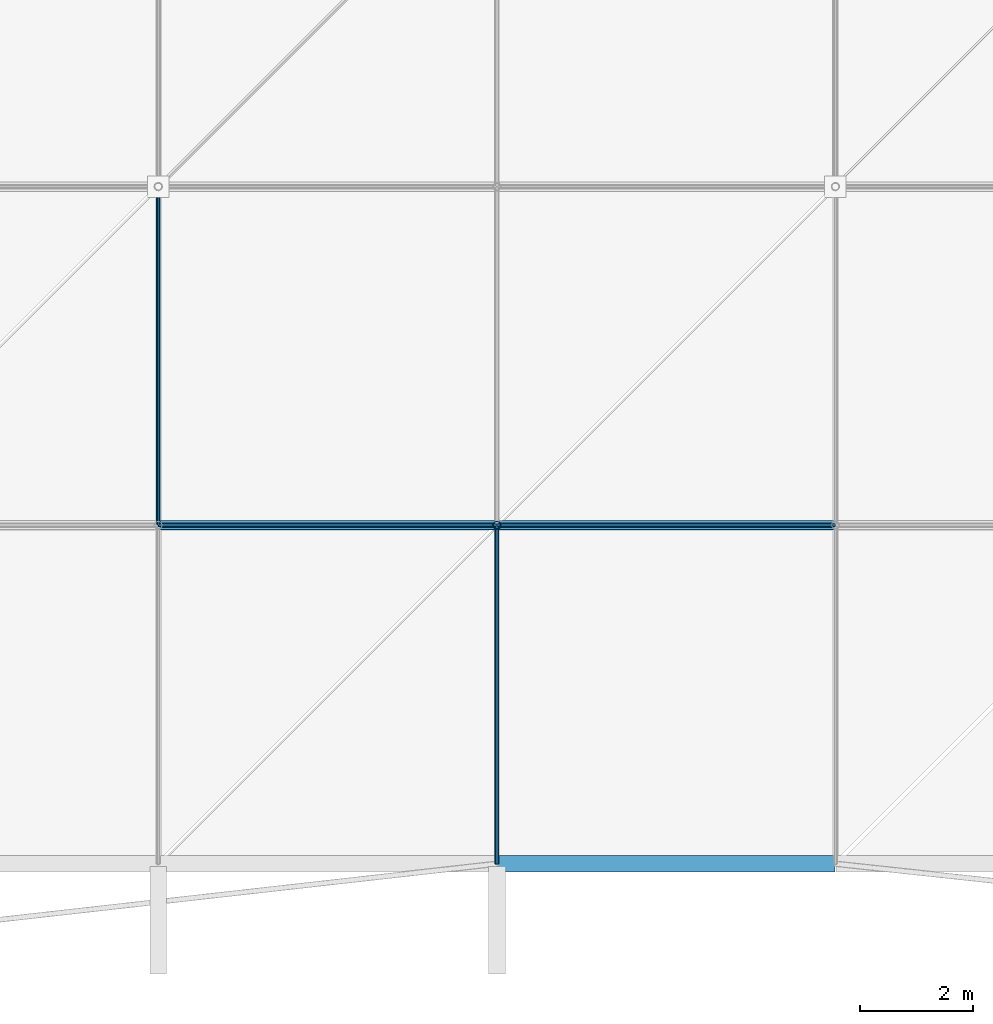
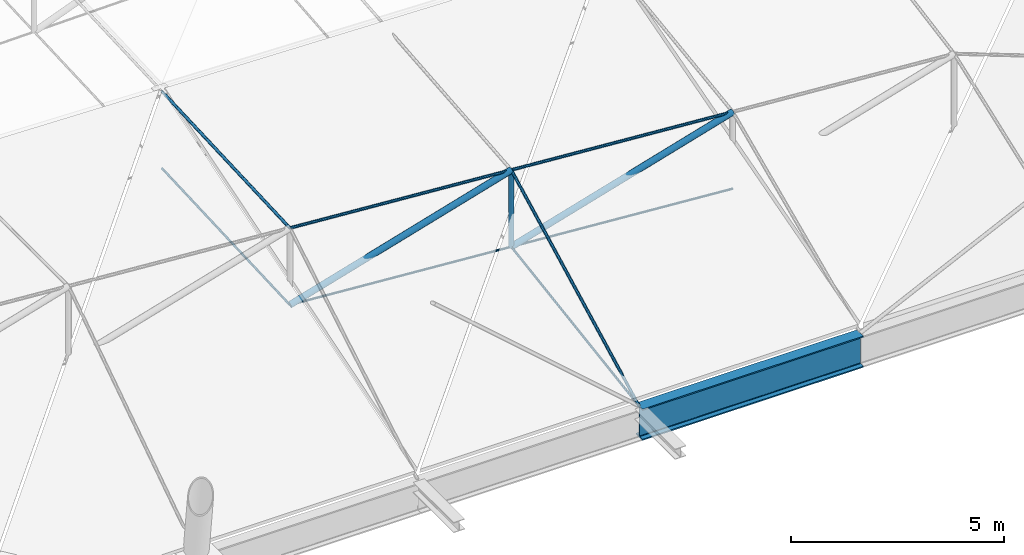
# One storey, part 32 of 132: 11 members, 1 beam.
"""IFC4 building model written with IfcOpenShell, lengths in metres."""

from ifc_helpers import new_model, si_unit, direction, frame, origin, origin_2d, place, context, subcontext, project, spatial, circle, hollow_circle, i_section, extrude, material, material_profile, profile_set, type_object, element, save


model = new_model("IFC4")

# Units and contexts
model_context = context("Model", 3, precision=1e-05, world=origin(), true_north=direction((0.0, 1.0)))
body_context = subcontext(model_context, "Body", "Model", "MODEL_VIEW")
ifc_project = project(units=[si_unit("LENGTHUNIT", "METRE"), si_unit("AREAUNIT", "SQUARE_METRE"), si_unit("VOLUMEUNIT", "CUBIC_METRE"), si_unit("PLANEANGLEUNIT", "RADIAN"), si_unit("MASSUNIT", "GRAM", prefix="KILO")], contexts=[model_context])

# Site, building, storey
site_placement = place(None, origin())
site = spatial("IfcSite", under=ifc_project, at=site_placement, CompositionType="ELEMENT")
building_placement = place(site_placement, origin())
building = spatial("IfcBuilding", under=site, at=building_placement, Name="Deido Ridge Mobility Hub", CompositionType="ELEMENT")
storey_placement = place(building_placement, frame((0.0, 0.0, 8.39990234375)))
storey = spatial("IfcBuildingStorey", under=building, at=storey_placement, Name="L02", CompositionType="ELEMENT", Elevation=8.39990234375)

# Beam
ifc_material_1 = material(Name="Steel S355J2 EN 10025-2", Category="steel")
ifc_material_profile_1 = material_profile(ifc_material_1, i_section(OverallWidth=0.300048828125, OverallDepth=0.89990234375, WebThickness=0.0185546875, FlangeThickness=0.034912109375, FilletRadius=0.027099609375, at=origin_2d()), Name="HEB 900")
ifc_profile_set_1 = profile_set([ifc_material_profile_1], Name="Steel S355J2 EN 10025-2")
beam_type = type_object("IfcBeamType", Name="BM-RING-HEB900", PredefinedType="USERDEFINED", material=ifc_profile_set_1)
beam_placement = place(storey_placement, frame((42.008056640625, 0.0, -0.449951171875), z_axis=(1.0, 0.0, 0.0), x_axis=(0.0, 1.0, 0.0)))
element("IfcBeam", 1, at=beam_placement, inside=storey, type_object=beam_type, Name="Compression ring beam RB1", ObjectType="RING BEAM", PredefinedType="USERDEFINED", context=body_context, shape_type="SweptSolid", body=[
    extrude(i_section(OverallWidth=0.300048828125, OverallDepth=0.89990234375, WebThickness=0.0185546875, FlangeThickness=0.034912109375, FilletRadius=0.027099609375, at=origin_2d()), origin(), (0.0, 0.0, 1.0), 5.98388671875),
])

# Members
ifc_material_2 = material(Name="Steel S460M EN 10025-4", Category="steel")
ifc_material_profile_2 = material_profile(ifc_material_2, circle(Radius=0.030029296875, at=origin_2d()), Name="CABLE D60")
ifc_profile_set_2 = profile_set([ifc_material_profile_2], Name="Steel S460M EN 10025-4")
member_type_1 = type_object("IfcMemberType", Name="MEM-CBL-D60", PredefinedType="USERDEFINED", material=ifc_profile_set_2)
for number, where, z_axis, x_axis, name in (
    (2, (36.0, 6.0, 1.36328125), (0.997363894896, 0.0, -0.072562119306), (0.0, 1.0, 0.0), "Saddle lower stabilizing cable CB3"),
    (3, (42.0, 6.0, 0.9267578125), (0.997360957073, 0.0, -0.07260248829), (0.0, 1.0, 0.0), "Saddle lower stabilizing cable CB3"),
):
    element("IfcMember", number, at=place(storey_placement, frame(where, z_axis=z_axis, x_axis=x_axis)), inside=storey, type_object=member_type_1, Name=name, ObjectType="TENSION CABLE", PredefinedType="USERDEFINED", context=body_context, shape_type="SweptSolid", body=[
        extrude(circle(Radius=0.030029296875, at=origin_2d()), origin(), (0.0, 0.0, 1.0), 6.015869140625),
    ])
member_1_placement = place(storey_placement, frame((36.0, 6.0, 1.36328125), z_axis=(0.0, 0.998963169392, 0.045525665272), x_axis=(-1.0, 0.0, 0.0)))
element("IfcMember", 4, at=member_1_placement, inside=storey, type_object=member_type_1, Name="Saddle transverse valley cable CB3", ObjectType="TENSION CABLE", PredefinedType="USERDEFINED", context=body_context, shape_type="SweptSolid", body=[
    extrude(circle(Radius=0.030029296875, at=origin_2d()), origin(), (0.0, 0.0, 1.0), 6.00634765625),
])
member_2_placement = place(storey_placement, frame((42.0, 0.0, 0.0), z_axis=(0.0, 0.988280401192, 0.152649430458), x_axis=(-1.0, 0.0, 0.0)))
element("IfcMember", 5, at=member_2_placement, inside=storey, type_object=member_type_1, Name="Saddle transverse valley cable CB3", ObjectType="TENSION CABLE", PredefinedType="USERDEFINED", context=body_context, shape_type="SweptSolid", body=[
    extrude(circle(Radius=0.030029296875, at=origin_2d()), origin(), (0.0, 0.0, 1.0), 6.071044921875),
])
ifc_material_profile_3 = material_profile(ifc_material_2, circle(Radius=0.0380859375, at=origin_2d()), Name="CABLE D76")
ifc_profile_set_3 = profile_set([ifc_material_profile_3], Name="Steel S460M EN 10025-4")
member_type_2 = type_object("IfcMemberType", Name="MEM-CBL-D76", PredefinedType="USERDEFINED", material=ifc_profile_set_3)
for number, where, z_axis, x_axis, name in (
    (6, (36.0, 6.0, 3.5634765625), (0.997360957073, 0.0, -0.07260248829), (0.0, 1.0, 0.0), "Saddle upper longitudinal cable CB2"),
    (7, (42.0, 6.0, 3.126708984375), (0.997363894896, 0.0, -0.072562119306), (0.0, 1.0, 0.0), "Saddle upper longitudinal cable CB2"),
):
    element("IfcMember", number, at=place(storey_placement, frame(where, z_axis=z_axis, x_axis=x_axis)), inside=storey, type_object=member_type_2, Name=name, ObjectType="TENSION CABLE", PredefinedType="USERDEFINED", context=body_context, shape_type="SweptSolid", body=[
        extrude(circle(Radius=0.0380859375, at=origin_2d()), origin(), (0.0, 0.0, 1.0), 6.015869140625),
    ])
member_3_placement = place(storey_placement, frame((36.0, 6.0, 3.5634765625), z_axis=(0.0, 0.998963169392, 0.045525665272), x_axis=(-1.0, 0.0, 0.0)))
element("IfcMember", 8, at=member_3_placement, inside=storey, type_object=member_type_2, Name="Saddle transverse ridge cable CB2", ObjectType="TENSION CABLE", PredefinedType="USERDEFINED", context=body_context, shape_type="SweptSolid", body=[
    extrude(circle(Radius=0.0380859375, at=origin_2d()), origin(), (0.0, 0.0, 1.0), 6.00634765625),
])
member_4_placement = place(storey_placement, frame((42.0, 0.0, 0.0), z_axis=(0.0, 0.886810576392, 0.462133099441), x_axis=(-1.0, 0.0, 0.0)))
element("IfcMember", 9, at=member_4_placement, inside=storey, type_object=member_type_2, Name="Saddle transverse ridge cable CB2", ObjectType="TENSION CABLE", PredefinedType="USERDEFINED", context=body_context, shape_type="SweptSolid", body=[
    extrude(circle(Radius=0.0380859375, at=origin_2d()), origin(), (0.0, 0.0, 1.0), 6.765869140625),
])
ifc_material_3 = material(Name="Steel S355J2H EN 10210-1", Category="steel")
ifc_material_profile_4 = material_profile(ifc_material_3, hollow_circle(Radius=0.06982421875, WallThickness=0.00634765625, at=origin_2d()), Name="CHS 139.7x6.3")
ifc_profile_set_4 = profile_set([ifc_material_profile_4], Name="Steel S355J2H EN 10210-1")
member_type_3 = type_object("IfcMemberType", Name="MEM-STR-CHS140", PredefinedType="STRUT", material=ifc_profile_set_4)
member_5_placement = place(storey_placement, frame((42.0, 6.0, 0.9267578125), z_axis=(0.0, 0.0, 1.0), x_axis=(1.0, 0.0, 0.0)))
element("IfcMember", 10, at=member_5_placement, inside=storey, type_object=member_type_3, Name="Cable-net vertical spreader strut SR2", PredefinedType="STRUT", context=body_context, shape_type="SweptSolid", body=[
    extrude(hollow_circle(Radius=0.06982421875, WallThickness=0.00634765625, at=origin_2d()), origin(), (0.0, 0.0, 1.0), 2.199951171875),
])
ifc_material_profile_5 = material_profile(ifc_material_3, hollow_circle(Radius=0.084228515625, WallThickness=0.008056640625, at=origin_2d()), Name="CHS 168.3x8")
ifc_profile_set_5 = profile_set([ifc_material_profile_5], Name="Steel S355J2H EN 10210-1")
member_type_4 = type_object("IfcMemberType", Name="MEM-STR-CHS168", PredefinedType="STRUT", material=ifc_profile_set_5)
for number, where, z_axis, x_axis, name in (
    (11, (36.0, 6.0, 1.36328125), (0.959420809005, 0.0, 0.281978210589), (0.0, 1.0, 0.0), "Saddle diagonal web strut SR1"),
    (12, (42.0, 6.0, 0.9267578125), (0.959420809005, 0.0, 0.281978210589), (0.0, 1.0, 0.0), "Saddle diagonal web strut SR1"),
):
    element("IfcMember", number, at=place(storey_placement, frame(where, z_axis=z_axis, x_axis=x_axis)), inside=storey, type_object=member_type_4, Name=name, PredefinedType="STRUT", context=body_context, shape_type="SweptSolid", body=[
        extrude(hollow_circle(Radius=0.084228515625, WallThickness=0.008056640625, at=origin_2d()), origin(), (0.0, 0.0, 1.0), 6.253662109375),
    ])

save(model, "model.ifc")
